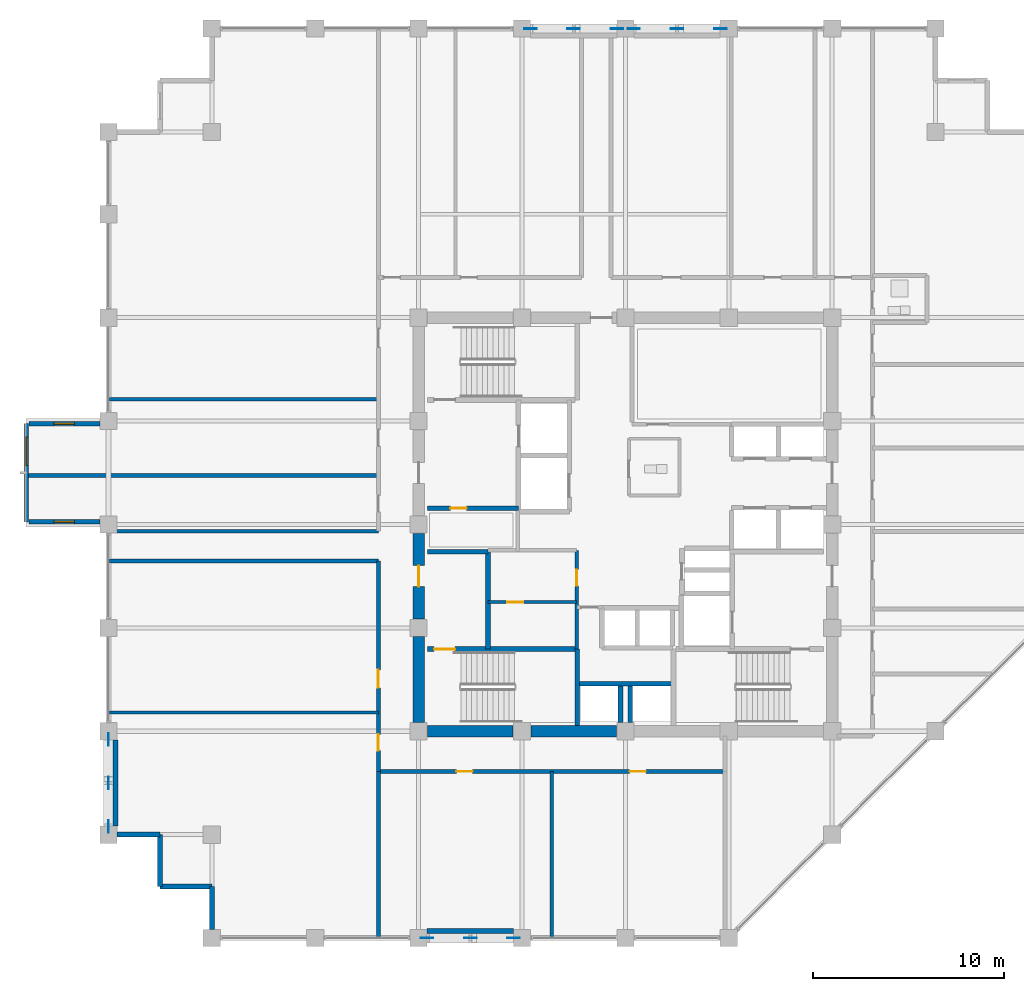
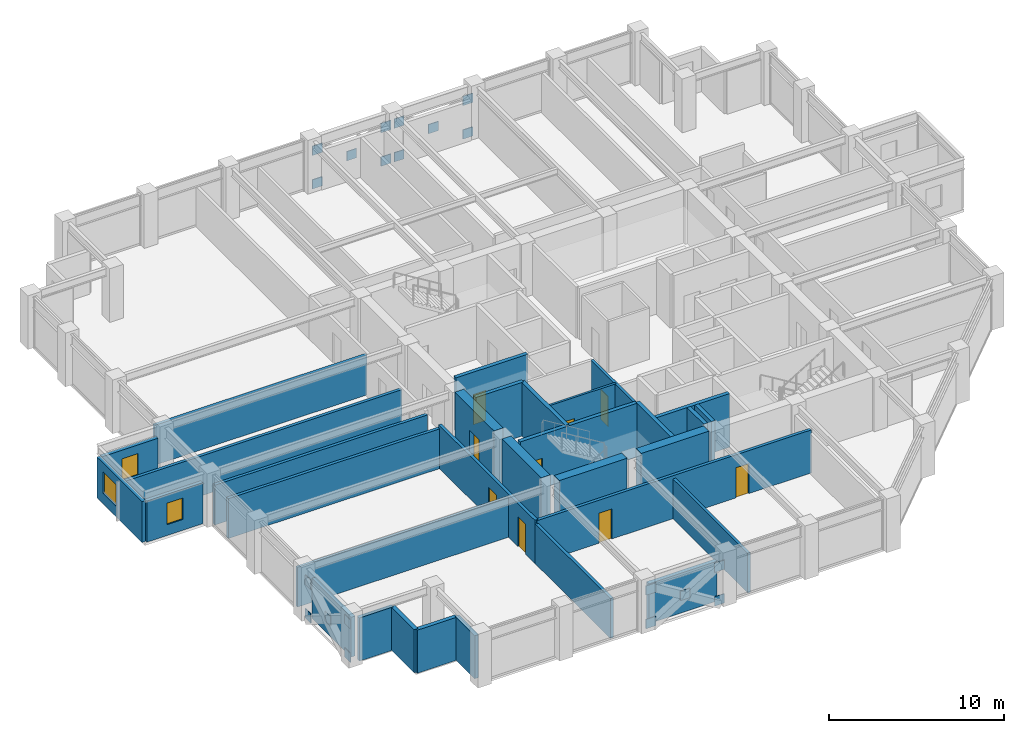
# One storey, part 22 of 28: 32 walls, 20 plates, 9 doors, 3 windows, 12 openings.
"""IFC4 building model written with IfcOpenShell, lengths in metres."""

from ifc_helpers import new_model, si_unit, direction, frame, frame_2d, origin, origin_2d, place, context, subcontext, project, spatial, rectangle, extrude, material, layer, layer_set, type_object, element, fill, save


model = new_model("IFC4")

# Units and contexts
model_context = context("Model", 3, precision=1e-05, world=origin(), true_north=direction((0.0, 1.0)))
body_context = subcontext(model_context, "Body", "Model", "MODEL_VIEW")
ifc_project = project(units=[si_unit("LENGTHUNIT", "METRE"), si_unit("AREAUNIT", "SQUARE_METRE"), si_unit("VOLUMEUNIT", "CUBIC_METRE"), si_unit("PLANEANGLEUNIT", "RADIAN"), si_unit("MASSUNIT", "GRAM", prefix="KILO")], contexts=[model_context])

# Site, building, storey
site_placement = place(None, origin())
site = spatial("IfcSite", under=ifc_project, at=site_placement, CompositionType="ELEMENT")
building_placement = place(site_placement, origin())
building = spatial("IfcBuilding", under=site, at=building_placement, Name="Surkhivell Harbour Commons", CompositionType="ELEMENT")
storey_placement = place(building_placement, frame((0.0, 0.0, 178.5)))
storey = spatial("IfcBuildingStorey", under=building, at=storey_placement, Name="L46", CompositionType="ELEMENT", Elevation=178.5)

# Plates
ifc_material_1 = material(Name="Steel S460", Category="steel")
ifc_layer_1 = layer(ifc_material_1, 0.044921875)
ifc_layer_set_1 = layer_set([ifc_layer_1], Name="Steel S460")
plate_type = type_object("IfcPlateType", Name="PLT-GUS-650", PredefinedType="USERDEFINED", material=ifc_layer_set_1)
for number, where, z_axis, x_axis, name in (
    (1, (-4.965087890625, 25.89990234375, -0.08935546875), (0.0, 0.0, 1.0), (1.0, 0.0, 0.0), "L46 Perimeter Mega-Brace MB- Corner Gusset N-1"),
    (2, (-0.43505859375, 25.89990234375, -0.08935546875), (0.0, 0.0, 1.0), (1.0, 0.0, 0.0), "L46 Perimeter Mega-Brace MB- Corner Gusset N-2"),
    (3, (-4.965087890625, 25.89990234375, 2.25146484375), (0.0, 0.0, 1.0), (1.0, 0.0, 0.0), "L46 Perimeter Mega-Brace MB- Corner Gusset N-3"),
    (4, (-0.43505859375, 25.89990234375, 2.25146484375), (0.0, 0.0, 1.0), (1.0, 0.0, 0.0), "L46 Perimeter Mega-Brace MB- Corner Gusset N-4"),
    (5, (-2.699951171875, 25.89990234375, 1.0810546875), (0.0, 0.0, 1.0), (1.0, 0.0, 0.0), "L46 Perimeter Mega-Brace MB- Central Crossing Gusset N"),
    (6, (0.43505859375, 25.89990234375, -0.08935546875), (0.0, 0.0, 1.0), (1.0, 0.0, 0.0), "L46 Perimeter Mega-Brace MB- Corner Gusset N2-1"),
    (7, (4.965087890625, 25.89990234375, -0.08935546875), (0.0, 0.0, 1.0), (1.0, 0.0, 0.0), "L46 Perimeter Mega-Brace MB- Corner Gusset N2-2"),
    (8, (0.43505859375, 25.89990234375, 2.25146484375), (0.0, 0.0, 1.0), (1.0, 0.0, 0.0), "L46 Perimeter Mega-Brace MB- Corner Gusset N2-3"),
    (9, (4.965087890625, 25.89990234375, 2.25146484375), (0.0, 0.0, 1.0), (1.0, 0.0, 0.0), "L46 Perimeter Mega-Brace MB- Corner Gusset N2-4"),
    (10, (2.699951171875, 25.89990234375, 1.0810546875), (0.0, 0.0, 1.0), (1.0, 0.0, 0.0), "L46 Perimeter Mega-Brace MB- Central Crossing Gusset N2"),
    (11, (-10.364990234375, -21.60009765625, -0.08935546875), (0.0, 0.0, 1.0), (1.0, 0.0, 0.0), "L46 Perimeter Mega-Brace MB- Corner Gusset S-1"),
    (12, (-5.8349609375, -21.60009765625, -0.08935546875), (0.0, 0.0, 1.0), (1.0, 0.0, 0.0), "L46 Perimeter Mega-Brace MB- Corner Gusset S-2"),
    (13, (-10.364990234375, -21.60009765625, 2.25146484375), (0.0, 0.0, 1.0), (1.0, 0.0, 0.0), "L46 Perimeter Mega-Brace MB- Corner Gusset S-3"),
    (14, (-5.8349609375, -21.60009765625, 2.25146484375), (0.0, 0.0, 1.0), (1.0, 0.0, 0.0), "L46 Perimeter Mega-Brace MB- Corner Gusset S-4"),
    (15, (-8.10009765625, -21.60009765625, 1.0810546875), (0.0, 0.0, 1.0), (1.0, 0.0, 0.0), "L46 Perimeter Mega-Brace MB- Central Crossing Gusset S"),
    (16, (-27.0, -15.764892578125, -0.08935546875), (0.0, 0.0, 1.0), (0.0, 1.0, 0.0), "L46 Perimeter Mega-Brace MB- Corner Gusset W-1"),
    (17, (-27.0, -11.235107421875, -0.08935546875), (0.0, 0.0, 1.0), (0.0, 1.0, 0.0), "L46 Perimeter Mega-Brace MB- Corner Gusset W-2"),
    (18, (-27.0, -15.764892578125, 2.25146484375), (0.0, 0.0, 1.0), (0.0, 1.0, 0.0), "L46 Perimeter Mega-Brace MB- Corner Gusset W-3"),
    (19, (-27.0, -11.235107421875, 2.25146484375), (0.0, 0.0, 1.0), (0.0, 1.0, 0.0), "L46 Perimeter Mega-Brace MB- Corner Gusset W-4"),
    (20, (-27.0, -13.5, 1.0810546875), (0.0, 0.0, 1.0), (0.0, 1.0, 0.0), "L46 Perimeter Mega-Brace MB- Central Crossing Gusset W"),
):
    element("IfcPlate", number, at=place(storey_placement, frame(where, z_axis=z_axis, x_axis=x_axis)), inside=storey, type_object=plate_type, Name=name, ObjectType="GUSSET_PLATE", PredefinedType="USERDEFINED", context=body_context, shape_type="SweptSolid", body=[
        extrude(rectangle(XDim=0.64990234375, YDim=0.044921875, at=origin_2d()), origin(), (0.0, 0.0, 1.0), 0.64990234375),
    ])

# Walls
ifc_material_2 = material(Name="Concrete C60/75", Category="concrete")
ifc_layer_2 = layer(ifc_material_2, 0.60009765625)
ifc_layer_set_2 = layer_set([ifc_layer_2], Name="Concrete C60/75")
wall_type_1 = type_object("IfcWallType", Name="WAL-CORE-600", PredefinedType="SHEAR", material=ifc_layer_set_2)
for number, where, z_axis, x_axis, name in (
    (21, (-10.340087890625, -10.800048828125, 0.0), (0.0, 0.0, 1.0), (1.0, 0.0, 0.0), "L46 Core Shear Wall South 1"),
    (22, (-10.800048828125, -10.340087890625, 0.0), (0.0, 0.0, 1.0), (0.0, 1.0, 0.0), "L46 Core Shear Wall West 1"),
    (23, (-4.93994140625, -10.800048828125, 0.0), (0.0, 0.0, 1.0), (1.0, 0.0, 0.0), "L46 Core Shear Wall South 2"),
):
    element("IfcWall", number, at=place(storey_placement, frame(where, z_axis=z_axis, x_axis=x_axis)), inside=storey, type_object=wall_type_1, Name=name, PredefinedType="SHEAR", context=body_context, shape_type="SweptSolid", body=[
        extrude(rectangle(XDim=4.47998046875, YDim=0.60009765625, at=frame_2d((2.239990234375, 0.0))), origin(), (0.0, 0.0, 1.0), 3.75),
    ])

# Wall, opening, door
wall_1_placement = place(storey_placement, frame((-10.800048828125, -4.93994140625, 0.0), z_axis=(0.0, 0.0, 1.0), x_axis=(0.0, 1.0, 0.0)))
wall_1 = element("IfcWall", 24, at=wall_1_placement, inside=storey, type_object=wall_type_1, Name="L46 Core Shear Wall West 2", PredefinedType="SHEAR", context=body_context, shape_type="SweptSolid", body=[
    extrude(rectangle(XDim=4.47998046875, YDim=0.60009765625, at=frame_2d((2.239990234375, 0.0))), origin(), (0.0, 0.0, 1.0), 3.75),
])
opening_1_placement = place(wall_1_placement, frame((1.68994140625, 0.0, 0.0)))
opening_1 = element("IfcOpeningElement", 25, at=opening_1_placement, cuts=wall_1, Name="Opening ID-2", PredefinedType="OPENING", context=body_context, shape_type="SweptSolid", body=[
    extrude(rectangle(XDim=1.10009765625, YDim=2.10009765625, at=frame_2d((0.550048828125, 1.050048828125))), frame((0.0, 0.31005859375, 0.0), z_axis=(0.0, -1.0, 0.0), x_axis=(1.0, 0.0, 0.0)), (0.0, 0.0, 1.0), 0.6201171875),
])
ifc_material_3 = material(Name="Hardwood-veneered fire-rated door leaf", Category="wood")
door_type_1 = type_object("IfcDoorType", Name="DOR-FD60-1100", OperationType="NOTDEFINED", PredefinedType="DOOR", material=ifc_material_3)
door_1_placement = place(opening_1_placement, origin())
door_1 = element("IfcDoor", 26, at=door_1_placement, inside=storey, type_object=door_type_1, Name="L46 Stair 3 Lobby Corridor Door", OperationType="SINGLE_SWING_LEFT", OverallHeight=2.10009765625, OverallWidth=1.10009765625, PredefinedType="DOOR", context=body_context, shape_type="SweptSolid", body=[
    extrude(rectangle(XDim=1.10009765625, YDim=2.10009765625, at=frame_2d((0.550048828125, 1.050048828125))), frame((0.0, 0.02490234375, 0.0), z_axis=(0.0, -1.0, 0.0), x_axis=(1.0, 0.0, 0.0)), (0.0, 0.0, 1.0), 0.050048828125),
])
fill(opening_1, door_1)

# Walls
ifc_material_4 = material(Name="Pale-metal insulated precast concrete C45/55", Category="concrete")
ifc_layer_3 = layer(ifc_material_4, 0.260009765625)
ifc_layer_set_3 = layer_set([ifc_layer_3], Name="Pale-metal insulated precast concrete C45/55")
wall_type_2 = type_object("IfcWallType", Name="WAL-EXT-MTL260", PredefinedType="STANDARD", material=ifc_layer_set_3)
wall_2_placement = place(storey_placement, frame((-10.35205078125, -21.239990234375, 0.0), z_axis=(0.0, 0.0, 1.0), x_axis=(1.0, 0.0, 0.0)))
element("IfcWall", 27, at=wall_2_placement, inside=storey, type_object=wall_type_2, Name="L46 Braced-Bay Insulated Spandrel Backing S", PredefinedType="STANDARD", context=body_context, shape_type="SweptSolid", body=[
    extrude(rectangle(XDim=4.504150390625, YDim=0.260009765625, at=frame_2d((2.251953125, 0.0))), origin(), (0.0, 0.0, 1.0), 2.780029296875),
])
wall_3_placement = place(storey_placement, frame((-26.639892578125, -15.751953125, 0.0), z_axis=(0.0, 0.0, 1.0), x_axis=(0.0, 1.0, 0.0)))
element("IfcWall", 28, at=wall_3_placement, inside=storey, type_object=wall_type_2, Name="L46 Braced-Bay Insulated Spandrel Backing W", PredefinedType="STANDARD", context=body_context, shape_type="SweptSolid", body=[
    extrude(rectangle(XDim=4.50390625, YDim=0.260009765625, at=frame_2d((2.251953125, 0.0))), origin(), (0.0, 0.0, 1.0), 2.780029296875),
])
wall_4_placement = place(storey_placement, frame((-26.552001953125, -16.199951171875, 0.0), z_axis=(0.0, 0.0, 1.0), x_axis=(1.0, 0.0, 0.0)))
element("IfcWall", 29, at=wall_4_placement, inside=storey, type_object=wall_type_2, Name="L46 Serrated Corner Facade Wall 13", PredefinedType="STANDARD", context=body_context, shape_type="SweptSolid", body=[
    extrude(rectangle(XDim=2.251953125, YDim=0.260009765625, at=frame_2d((1.1259765625, 0.0))), origin(), (0.0, 0.0, 1.0), 3.006103515625),
])
for number, where, z_axis, x_axis, name in (
    (30, (-24.300048828125, -16.199951171875, 0.0), (0.0, 0.0, 1.0), (0.0, -1.0, 0.0), "L46 Serrated Corner Facade Wall 14"),
    (31, (-24.300048828125, -18.89990234375, 0.0), (0.0, 0.0, 1.0), (1.0, 0.0, 0.0), "L46 Serrated Corner Facade Wall 15"),
):
    element("IfcWall", number, at=place(storey_placement, frame(where, z_axis=z_axis, x_axis=x_axis)), inside=storey, type_object=wall_type_2, Name=name, PredefinedType="STANDARD", context=body_context, shape_type="SweptSolid", body=[
        extrude(rectangle(XDim=2.699951171875, YDim=0.260009765625, at=frame_2d((1.35009765625, 0.0))), origin(), (0.0, 0.0, 1.0), 3.006103515625),
    ])
wall_5_placement = place(storey_placement, frame((-21.60009765625, -18.89990234375, 0.0), z_axis=(0.0, 0.0, 1.0), x_axis=(0.0, -1.0, 0.0)))
element("IfcWall", 32, at=wall_5_placement, inside=storey, type_object=wall_type_2, Name="L46 Serrated Corner Facade Wall 16", PredefinedType="STANDARD", context=body_context, shape_type="SweptSolid", body=[
    extrude(rectangle(XDim=2.252197265625, YDim=0.260009765625, at=frame_2d((1.1259765625, 0.0))), origin(), (0.0, 0.0, 1.0), 3.006103515625),
])

# Wall, opening, window
ifc_material_5 = material(Name="Bronze-ochre cassette precast concrete C45/55", Category="concrete")
ifc_layer_4 = layer(ifc_material_5, 0.239990234375)
ifc_layer_set_4 = layer_set([ifc_layer_4], Name="Bronze-ochre cassette precast concrete C45/55")
wall_type_3 = type_object("IfcWallType", Name="WAL-EXT-OCH240", PredefinedType="STANDARD", material=ifc_layer_set_4)
wall_6_placement = place(storey_placement, frame((-31.300048828125, 5.280029296875, 0.0), z_axis=(0.0, 0.0, 1.0), x_axis=(0.0, -1.0, 0.0)))
wall_6 = element("IfcWall", 33, at=wall_6_placement, inside=storey, type_object=wall_type_3, Name="L46 Coloured Box Front Wall 02", PredefinedType="STANDARD", context=body_context, shape_type="SweptSolid", body=[
    extrude(rectangle(XDim=5.159912109375, YDim=0.239990234375, at=frame_2d((2.580078125, 0.0))), origin(), (0.0, 0.0, 1.0), 2.85693359375),
])
opening_2_placement = place(wall_6_placement, frame((0.699951171875, 0.0, 0.75)))
opening_2 = element("IfcOpeningElement", 34, at=opening_2_placement, cuts=wall_6, Name="Opening WN-13", PredefinedType="OPENING", context=body_context, shape_type="SweptSolid", body=[
    extrude(rectangle(XDim=1.5, YDim=1.5, at=frame_2d((0.75, 0.75))), frame((0.0, 0.1298828125, 0.0), z_axis=(0.0, -1.0, 0.0), x_axis=(1.0, 0.0, 0.0)), (0.0, 0.0, 1.0), 0.260009765625),
])
ifc_material_6 = material(Name="Thermal-break aluminium frame and double low-E glazing", Category="aluminium")
window_type_1 = type_object("IfcWindowType", Name="WIN-BOX-1500x1500", PartitioningType="SINGLE_PANEL", PredefinedType="WINDOW", material=ifc_material_6)
window_1_placement = place(opening_2_placement, origin())
window_1 = element("IfcWindow", 35, at=window_1_placement, inside=storey, type_object=window_type_1, Name="L46 Coloured Box Square Window 02-1", OverallHeight=1.5, OverallWidth=1.5, PartitioningType="SINGLE_PANEL", PredefinedType="WINDOW", context=body_context, shape_type="SweptSolid", body=[
    extrude(rectangle(XDim=1.5, YDim=1.5, at=frame_2d((0.75, 0.75))), frame((0.0, 0.030029296875, 0.0), z_axis=(0.0, -1.0, 0.0), x_axis=(1.0, 0.0, 0.0)), (0.0, 0.0, 1.0), 0.06005859375),
])
fill(opening_2, window_1)

wall_7_placement = place(storey_placement, frame((-31.159912109375, 0.139892578125, 0.0), z_axis=(0.0, 0.0, 1.0), x_axis=(1.0, 0.0, 0.0)))
wall_7 = element("IfcWall", 36, at=wall_7_placement, inside=storey, type_object=wall_type_3, Name="L46 Coloured Box Return Wall 02S", PredefinedType="STANDARD", context=body_context, shape_type="SweptSolid", body=[
    extrude(rectangle(XDim=3.705810546875, YDim=0.239990234375, at=frame_2d((1.85302734375, 0.0))), origin(), (0.0, 0.0, 1.0), 2.85693359375),
])
opening_3_placement = place(wall_7_placement, frame((1.327880859375, 0.0, 0.75)))
opening_3 = element("IfcOpeningElement", 37, at=opening_3_placement, cuts=wall_7, Name="Opening WN-11", PredefinedType="OPENING", context=body_context, shape_type="SweptSolid", body=[
    extrude(rectangle(XDim=1.050048828125, YDim=1.5, at=frame_2d((0.52490234375, 0.75))), frame((0.0, 0.1298828125, 0.0), z_axis=(0.0, -1.0, 0.0), x_axis=(1.0, 0.0, 0.0)), (0.0, 0.0, 1.0), 0.260009765625),
])
window_type_2 = type_object("IfcWindowType", Name="WIN-SER-1050x1500", PartitioningType="SINGLE_PANEL", PredefinedType="WINDOW", material=ifc_material_6)
window_2_placement = place(opening_3_placement, origin())
window_2 = element("IfcWindow", 38, at=window_2_placement, inside=storey, type_object=window_type_2, Name="L46 Coloured Box Return Window 02S", OverallHeight=1.5, OverallWidth=1.050048828125, PartitioningType="SINGLE_PANEL", PredefinedType="WINDOW", context=body_context, shape_type="SweptSolid", body=[
    extrude(rectangle(XDim=1.050048828125, YDim=1.5, at=frame_2d((0.52490234375, 0.75))), frame((0.0, 0.030029296875, 0.0), z_axis=(0.0, -1.0, 0.0), x_axis=(1.0, 0.0, 0.0)), (0.0, 0.0, 1.0), 0.06005859375),
])
fill(opening_3, window_2)

wall_8_placement = place(storey_placement, frame((-31.159912109375, 5.260009765625, 0.0), z_axis=(0.0, 0.0, 1.0), x_axis=(1.0, 0.0, 0.0)))
wall_8 = element("IfcWall", 39, at=wall_8_placement, inside=storey, type_object=wall_type_3, Name="L46 Coloured Box Return Wall 02N", PredefinedType="STANDARD", context=body_context, shape_type="SweptSolid", body=[
    extrude(rectangle(XDim=3.705810546875, YDim=0.239990234375, at=frame_2d((1.85302734375, 0.0))), origin(), (0.0, 0.0, 1.0), 2.85693359375),
])
opening_4_placement = place(wall_8_placement, frame((1.327880859375, 0.0, 0.75)))
opening_4 = element("IfcOpeningElement", 40, at=opening_4_placement, cuts=wall_8, Name="Opening WN-11", PredefinedType="OPENING", context=body_context, shape_type="SweptSolid", body=[
    extrude(rectangle(XDim=1.050048828125, YDim=1.5, at=frame_2d((0.52490234375, 0.75))), frame((0.0, 0.1298828125, 0.0), z_axis=(0.0, -1.0, 0.0), x_axis=(1.0, 0.0, 0.0)), (0.0, 0.0, 1.0), 0.260009765625),
])
window_3_placement = place(opening_4_placement, origin())
window_3 = element("IfcWindow", 41, at=window_3_placement, inside=storey, type_object=window_type_2, Name="L46 Coloured Box Return Window 02N", OverallHeight=1.5, OverallWidth=1.050048828125, PartitioningType="SINGLE_PANEL", PredefinedType="WINDOW", context=body_context, shape_type="SweptSolid", body=[
    extrude(rectangle(XDim=1.050048828125, YDim=1.5, at=frame_2d((0.52490234375, 0.75))), frame((0.0, 0.030029296875, 0.0), z_axis=(0.0, -1.0, 0.0), x_axis=(1.0, 0.0, 0.0)), (0.0, 0.0, 1.0), 0.06005859375),
])
fill(opening_4, window_3)

# Wall, opening, door
ifc_material_7 = material(Name="Twin-stud acoustic fireboard partition", Category="other")
ifc_layer_5 = layer(ifc_material_7, 0.14990234375)
ifc_layer_set_5 = layer_set([ifc_layer_5], Name="Twin-stud acoustic fireboard partition")
wall_type_4 = type_object("IfcWallType", Name="WAL-INT-150", PredefinedType="PARTITIONING", material=ifc_layer_set_5)
wall_9_placement = place(storey_placement, frame((-7.179931640625, -4.050048828125, 0.0), z_axis=(0.0, 0.0, 1.0), x_axis=(1.0, 0.0, 0.0)))
wall_9 = element("IfcWall", 42, at=wall_9_placement, inside=storey, type_object=wall_type_4, Name="L46 Core Cut A Partition", PredefinedType="PARTITIONING", context=body_context, shape_type="SweptSolid", body=[
    extrude(rectangle(XDim=4.6298828125, YDim=0.14990234375, at=frame_2d((2.31494140625, 0.0))), origin(), (0.0, 0.0, 1.0), 3.570068359375),
])
opening_5_placement = place(wall_9_placement, frame((1.0, 0.0, 0.0)))
opening_5 = element("IfcOpeningElement", 43, at=opening_5_placement, cuts=wall_9, Name="Opening ID-6", PredefinedType="OPENING", context=body_context, shape_type="SweptSolid", body=[
    extrude(rectangle(XDim=0.85009765625, YDim=2.10009765625, at=frame_2d((0.425048828125, 1.050048828125))), frame((0.0, 0.0849609375, 0.0), z_axis=(0.0, -1.0, 0.0), x_axis=(1.0, 0.0, 0.0)), (0.0, 0.0, 1.0), 0.169921875),
])
door_type_2 = type_object("IfcDoorType", Name="DOR-FD30-850", OperationType="NOTDEFINED", PredefinedType="DOOR", material=ifc_material_3)
door_2_placement = place(opening_5_placement, origin())
door_2 = element("IfcDoor", 44, at=door_2_placement, inside=storey, type_object=door_type_2, Name="L46 Linen Room Door", OperationType="SINGLE_SWING_RIGHT", OverallHeight=2.10009765625, OverallWidth=0.85009765625, PredefinedType="DOOR", context=body_context, shape_type="SweptSolid", body=[
    extrude(rectangle(XDim=0.85009765625, YDim=2.10009765625, at=frame_2d((0.425048828125, 1.050048828125))), frame((0.0, 0.02490234375, 0.0), z_axis=(0.0, -1.0, 0.0), x_axis=(1.0, 0.0, 0.0)), (0.0, 0.0, 1.0), 0.050048828125),
])
fill(opening_5, door_2)

# Wall
wall_10_placement = place(storey_placement, frame((-26.93994140625, -9.820068359375, 0.0), z_axis=(0.0, 0.0, 1.0), x_axis=(1.0, 0.0, 0.0)))
element("IfcWall", 45, at=wall_10_placement, inside=storey, type_object=wall_type_4, Name="L46 South-West Partition P1", PredefinedType="PARTITIONING", context=body_context, shape_type="SweptSolid", body=[
    extrude(rectangle(XDim=14.0400390625, YDim=0.14990234375, at=frame_2d((7.02001953125, 0.0))), origin(), (0.0, 0.0, 1.0), 2.780029296875),
])

# Wall, opening, door
ifc_material_8 = material(Name="High-density acoustic blockwork fire partition", Category="masonry")
ifc_layer_6 = layer(ifc_material_8, 0.175048828125)
ifc_layer_set_6 = layer_set([ifc_layer_6], Name="High-density acoustic blockwork fire partition")
wall_type_5 = type_object("IfcWallType", Name="WAL-INT-175", PredefinedType="PARTITIONING", material=ifc_layer_set_6)
wall_11_placement = place(storey_placement, frame((-2.550048828125, -6.510009765625, 0.0), z_axis=(0.0, 0.0, 1.0), x_axis=(0.0, 1.0, 0.0)))
wall_11 = element("IfcWall", 46, at=wall_11_placement, inside=storey, type_object=wall_type_5, Name="L46 Core Service Bay East Wall", PredefinedType="PARTITIONING", context=body_context, shape_type="SweptSolid", body=[
    extrude(rectangle(XDim=5.159912109375, YDim=0.175048828125, at=frame_2d((2.580078125, 0.0))), origin(), (0.0, 0.0, 1.0), 3.570068359375),
])
opening_6_placement = place(wall_11_placement, frame((3.300048828125, 0.0, 0.0)))
opening_6 = element("IfcOpeningElement", 47, at=opening_6_placement, cuts=wall_11, Name="Opening ID-6", PredefinedType="OPENING", context=body_context, shape_type="SweptSolid", body=[
    extrude(rectangle(XDim=0.85009765625, YDim=2.10009765625, at=frame_2d((0.425048828125, 1.050048828125))), frame((0.0, 0.097412109375, 0.0), z_axis=(0.0, -1.0, 0.0), x_axis=(1.0, 0.0, 0.0)), (0.0, 0.0, 1.0), 0.195068359375),
])
door_3_placement = place(opening_6_placement, origin())
door_3 = element("IfcDoor", 48, at=door_3_placement, inside=storey, type_object=door_type_2, Name="L46 Core Reading Alcove Door", OperationType="SINGLE_SWING_LEFT", OverallHeight=2.10009765625, OverallWidth=0.85009765625, PredefinedType="DOOR", context=body_context, shape_type="SweptSolid", body=[
    extrude(rectangle(XDim=0.85009765625, YDim=2.10009765625, at=frame_2d((0.425048828125, 1.050048828125))), frame((0.0, 0.02490234375, 0.0), z_axis=(0.0, -1.0, 0.0), x_axis=(1.0, 0.0, 0.0)), (0.0, 0.0, 1.0), 0.050048828125),
])
fill(opening_6, door_3)

# Walls
wall_12_placement = place(storey_placement, frame((-3.85009765625, -21.5400390625, 0.0), z_axis=(0.0, 0.0, 1.0), x_axis=(0.0, 1.0, 0.0)))
element("IfcWall", 49, at=wall_12_placement, inside=storey, type_object=wall_type_5, Name="L46 South Partition P1", PredefinedType="PARTITIONING", context=body_context, shape_type="SweptSolid", body=[
    extrude(rectangle(XDim=8.64013671875, YDim=0.175048828125, at=frame_2d((4.320068359375, 0.0))), origin(), (0.0, 0.0, 1.0), 2.780029296875),
])
ifc_material_9 = material(Name="Autoclaved aerated concrete blockwork and fire plaster", Category="masonry")
ifc_layer_7 = layer(ifc_material_9, 0.199951171875)
ifc_layer_set_7 = layer_set([ifc_layer_7], Name="Autoclaved aerated concrete blockwork and fire plaster")
wall_type_6 = type_object("IfcWallType", Name="WAL-INT-200", PredefinedType="PARTITIONING", material=ifc_layer_set_7)
wall_13_placement = place(storey_placement, frame((-12.89990234375, -21.5400390625, 0.0), z_axis=(0.0, 0.0, 1.0), x_axis=(0.0, 1.0, 0.0)))
element("IfcWall", 50, at=wall_13_placement, inside=storey, type_object=wall_type_6, Name="L46 South-West Corner Wall", PredefinedType="PARTITIONING", context=body_context, shape_type="SweptSolid", body=[
    extrude(rectangle(XDim=8.64013671875, YDim=0.199951171875, at=frame_2d((4.320068359375, 0.0))), origin(), (0.0, 0.0, 1.0), 2.780029296875),
])

# Wall, openings, doors
wall_14_placement = place(storey_placement, frame((-12.89990234375, -12.89990234375, 0.0), z_axis=(0.0, 0.0, 1.0), x_axis=(1.0, 0.0, 0.0)))
wall_14 = element("IfcWall", 51, at=wall_14_placement, inside=storey, type_object=wall_type_6, Name="L46 Corridor South Wall", PredefinedType="PARTITIONING", context=body_context, shape_type="SweptSolid", body=[
    extrude(rectangle(XDim=18.099853515625, YDim=0.199951171875, at=frame_2d((9.0498046875, 0.0))), origin(), (0.0, 0.0, 1.0), 3.006103515625),
])
opening_7_placement = place(wall_14_placement, frame((4.074951171875, 0.0, 0.0)))
opening_7 = element("IfcOpeningElement", 52, at=opening_7_placement, cuts=wall_14, Name="Opening ID-6", PredefinedType="OPENING", context=body_context, shape_type="SweptSolid", body=[
    extrude(rectangle(XDim=0.85009765625, YDim=2.10009765625, at=frame_2d((0.425048828125, 1.050048828125))), frame((0.0, 0.10986328125, 0.0), z_axis=(0.0, -1.0, 0.0), x_axis=(1.0, 0.0, 0.0)), (0.0, 0.0, 1.0), 0.219970703125),
])
opening_8_placement = place(wall_14_placement, frame((13.125, 0.0, 0.0)))
opening_8 = element("IfcOpeningElement", 53, at=opening_8_placement, cuts=wall_14, Name="Opening ID-6", PredefinedType="OPENING", context=body_context, shape_type="SweptSolid", body=[
    extrude(rectangle(XDim=0.85009765625, YDim=2.10009765625, at=frame_2d((0.425048828125, 1.050048828125))), frame((0.0, 0.10986328125, 0.0), z_axis=(0.0, -1.0, 0.0), x_axis=(1.0, 0.0, 0.0)), (0.0, 0.0, 1.0), 0.219970703125),
])
door_4_placement = place(opening_7_placement, origin())
door_4 = element("IfcDoor", 54, at=door_4_placement, inside=storey, type_object=door_type_2, Name="L46 Campus Co-Op Bookshop South Door", OperationType="SINGLE_SWING_LEFT", OverallHeight=2.10009765625, OverallWidth=0.85009765625, PredefinedType="DOOR", context=body_context, shape_type="SweptSolid", body=[
    extrude(rectangle(XDim=0.85009765625, YDim=2.10009765625, at=frame_2d((0.425048828125, 1.050048828125))), frame((0.0, 0.02490234375, 0.0), z_axis=(0.0, -1.0, 0.0), x_axis=(1.0, 0.0, 0.0)), (0.0, 0.0, 1.0), 0.050048828125),
])
fill(opening_7, door_4)
door_5_placement = place(opening_8_placement, origin())
door_5 = element("IfcDoor", 55, at=door_5_placement, inside=storey, type_object=door_type_2, Name="L46 Harbour Espresso Cafe Shop South Door", OperationType="SINGLE_SWING_RIGHT", OverallHeight=2.10009765625, OverallWidth=0.85009765625, PredefinedType="DOOR", context=body_context, shape_type="SweptSolid", body=[
    extrude(rectangle(XDim=0.85009765625, YDim=2.10009765625, at=frame_2d((0.425048828125, 1.050048828125))), frame((0.0, 0.02490234375, 0.0), z_axis=(0.0, -1.0, 0.0), x_axis=(1.0, 0.0, 0.0)), (0.0, 0.0, 1.0), 0.050048828125),
])
fill(opening_8, door_5)

# Walls
for number, where, z_axis, x_axis, name in (
    (56, (-26.93994140625, -0.35009765625, 0.0), (0.0, 0.0, 1.0), (1.0, 0.0, 0.0), "L46 West Spur North Wall"),
    (57, (-26.93994140625, -1.89990234375, 0.0), (0.0, 0.0, 1.0), (1.0, 0.0, 0.0), "L46 West Spur South Wall"),
):
    element("IfcWall", number, at=place(storey_placement, frame(where, z_axis=z_axis, x_axis=x_axis)), inside=storey, type_object=wall_type_6, Name=name, PredefinedType="PARTITIONING", context=body_context, shape_type="SweptSolid", body=[
        extrude(rectangle(XDim=14.0400390625, YDim=0.199951171875, at=frame_2d((7.02001953125, 0.0))), origin(), (0.0, 0.0, 1.0), 2.780029296875),
    ])

# Wall, openings, doors
wall_15_placement = place(storey_placement, frame((-12.89990234375, -12.89990234375, 0.0), z_axis=(0.0, 0.0, 1.0), x_axis=(0.0, 1.0, 0.0)))
wall_15 = element("IfcWall", 58, at=wall_15_placement, inside=storey, type_object=wall_type_6, Name="L46 Corridor West-Lower Wall", PredefinedType="PARTITIONING", context=body_context, shape_type="SweptSolid", body=[
    extrude(rectangle(XDim=11.0, YDim=0.199951171875, at=frame_2d((5.5, 0.0))), origin(), (0.0, 0.0, 1.0), 3.006103515625),
])
opening_9_placement = place(wall_15_placement, frame((1.090087890625, 0.0, 0.0)))
opening_9 = element("IfcOpeningElement", 59, at=opening_9_placement, cuts=wall_15, Name="Opening ID-6", PredefinedType="OPENING", context=body_context, shape_type="SweptSolid", body=[
    extrude(rectangle(XDim=0.85009765625, YDim=2.10009765625, at=frame_2d((0.425048828125, 1.050048828125))), frame((0.0, 0.10986328125, 0.0), z_axis=(0.0, -1.0, 0.0), x_axis=(1.0, 0.0, 0.0)), (0.0, 0.0, 1.0), 0.219970703125),
])
opening_10_placement = place(wall_15_placement, frame((4.361572265625, 0.0, 0.0)))
opening_10 = element("IfcOpeningElement", 60, at=opening_10_placement, cuts=wall_15, Name="Opening ID-4", PredefinedType="OPENING", context=body_context, shape_type="SweptSolid", body=[
    extrude(rectangle(XDim=0.949951171875, YDim=2.10009765625, at=frame_2d((0.47509765625, 1.050048828125))), frame((0.0, 0.10986328125, 0.0), z_axis=(0.0, -1.0, 0.0), x_axis=(1.0, 0.0, 0.0)), (0.0, 0.0, 1.0), 0.219970703125),
])
door_6_placement = place(opening_9_placement, origin())
door_6 = element("IfcDoor", 61, at=door_6_placement, inside=storey, type_object=door_type_2, Name="L46 Shared Communal Kitchen A South-West Door", OperationType="SINGLE_SWING_LEFT", OverallHeight=2.10009765625, OverallWidth=0.85009765625, PredefinedType="DOOR", context=body_context, shape_type="SweptSolid", body=[
    extrude(rectangle(XDim=0.85009765625, YDim=2.10009765625, at=frame_2d((0.425048828125, 1.050048828125))), frame((0.0, 0.02490234375, 0.0), z_axis=(0.0, -1.0, 0.0), x_axis=(1.0, 0.0, 0.0)), (0.0, 0.0, 1.0), 0.050048828125),
])
fill(opening_9, door_6)
door_type_3 = type_object("IfcDoorType", Name="DOR-FD60-950", OperationType="NOTDEFINED", PredefinedType="DOOR", material=ifc_material_3)
door_7_placement = place(opening_10_placement, origin())
door_7 = element("IfcDoor", 62, at=door_7_placement, inside=storey, type_object=door_type_3, Name="L46 Shared Communal Kitchen B South-West Door", OperationType="SINGLE_SWING_RIGHT", OverallHeight=2.10009765625, OverallWidth=0.949951171875, PredefinedType="DOOR", context=body_context, shape_type="SweptSolid", body=[
    extrude(rectangle(XDim=0.949951171875, YDim=2.10009765625, at=frame_2d((0.47509765625, 1.050048828125))), frame((0.0, 0.02490234375, 0.0), z_axis=(0.0, -1.0, 0.0), x_axis=(1.0, 0.0, 0.0)), (0.0, 0.0, 1.0), 0.050048828125),
])
fill(opening_10, door_7)

# Walls
wall_16_placement = place(storey_placement, frame((-31.239990234375, 2.56005859375, 0.0), z_axis=(0.0, 0.0, 1.0), x_axis=(1.0, 0.0, 0.0)))
element("IfcWall", 63, at=wall_16_placement, inside=storey, type_object=wall_type_6, Name="L46 North-West Partition P1", PredefinedType="PARTITIONING", context=body_context, shape_type="SweptSolid", body=[
    extrude(rectangle(XDim=18.340087890625, YDim=0.199951171875, at=frame_2d((9.169921875, 0.0))), origin(), (0.0, 0.0, 1.0), 2.780029296875),
])
wall_17_placement = place(storey_placement, frame((-26.93994140625, 6.5400390625, 0.0), z_axis=(0.0, 0.0, 1.0), x_axis=(1.0, 0.0, 0.0)))
element("IfcWall", 64, at=wall_17_placement, inside=storey, type_object=wall_type_6, Name="L46 North-West Partition P2", PredefinedType="PARTITIONING", context=body_context, shape_type="SweptSolid", body=[
    extrude(rectangle(XDim=14.0400390625, YDim=0.199951171875, at=frame_2d((7.02001953125, 0.0))), origin(), (0.0, 0.0, 1.0), 2.780029296875),
])

# Wall, opening, door
ifc_material_10 = material(Name="Concrete C50/60", Category="concrete")
ifc_layer_8 = layer(ifc_material_10, 0.25)
ifc_layer_set_8 = layer_set([ifc_layer_8], Name="Concrete C50/60")
wall_type_7 = type_object("IfcWallType", Name="WAL-SHAFT-250", PredefinedType="SHEAR", material=ifc_layer_set_8)
wall_18_placement = place(storey_placement, frame((-10.340087890625, 0.85009765625, 0.0), z_axis=(0.0, 0.0, 1.0), x_axis=(1.0, 0.0, 0.0)))
wall_18 = element("IfcWall", 65, at=wall_18_placement, inside=storey, type_object=wall_type_7, Name="L46 Firefighting Lobby 1 South Wall", PredefinedType="SHEAR", context=body_context, shape_type="SweptSolid", body=[
    extrude(rectangle(XDim=4.760009765625, YDim=0.25, at=frame_2d((2.3798828125, 0.0))), origin(), (0.0, 0.0, 1.0), 3.75),
])
opening_11_placement = place(wall_18_placement, frame((1.199951171875, 0.0, 0.0)))
opening_11 = element("IfcOpeningElement", 66, at=opening_11_placement, cuts=wall_18, Name="Opening ID-6", PredefinedType="OPENING", context=body_context, shape_type="SweptSolid", body=[
    extrude(rectangle(XDim=0.85009765625, YDim=2.10009765625, at=frame_2d((0.425048828125, 1.050048828125))), frame((0.0, 0.135009765625, 0.0), z_axis=(0.0, -1.0, 0.0), x_axis=(1.0, 0.0, 0.0)), (0.0, 0.0, 1.0), 0.27001953125),
])
door_8_placement = place(opening_11_placement, origin())
door_8 = element("IfcDoor", 67, at=door_8_placement, inside=storey, type_object=door_type_2, Name="L46 West Quiet Study Door", OperationType="SINGLE_SWING_RIGHT", OverallHeight=2.10009765625, OverallWidth=0.85009765625, PredefinedType="DOOR", context=body_context, shape_type="SweptSolid", body=[
    extrude(rectangle(XDim=0.85009765625, YDim=2.10009765625, at=frame_2d((0.425048828125, 1.050048828125))), frame((0.0, 0.02490234375, 0.0), z_axis=(0.0, -1.0, 0.0), x_axis=(1.0, 0.0, 0.0)), (0.0, 0.0, 1.0), 0.050048828125),
])
fill(opening_11, door_8)

# Walls
for number, where, z_axis, x_axis, name in (
    (68, (-0.25, -10.35009765625, 0.0), (0.0, 0.0, 1.0), (0.0, 1.0, 0.0), "L46 High-Rise Side Wall S"),
    (69, (0.25, -10.35009765625, 0.0), (0.0, 0.0, 1.0), (0.0, 1.0, 0.0), "L46 High-Rise Side Wall S"),
):
    element("IfcWall", number, at=place(storey_placement, frame(where, z_axis=z_axis, x_axis=x_axis)), inside=storey, type_object=wall_type_7, Name=name, PredefinedType="SHEAR", context=body_context, shape_type="SweptSolid", body=[
        extrude(rectangle(XDim=1.91015625, YDim=0.25, at=frame_2d((0.955078125, 0.0))), origin(), (0.0, 0.0, 1.0), 3.75),
    ])
wall_19_placement = place(storey_placement, frame((-2.47998046875, -8.320068359375, 0.0), z_axis=(0.0, 0.0, 1.0), x_axis=(1.0, 0.0, 0.0)))
element("IfcWall", 70, at=wall_19_placement, inside=storey, type_object=wall_type_7, Name="L46 High-Rise South Front Shaft Wall", PredefinedType="SHEAR", context=body_context, shape_type="SweptSolid", body=[
    extrude(rectangle(XDim=4.929931640625, YDim=0.25, at=frame_2d((2.46484375, 0.0))), origin(), (0.0, 0.0, 1.0), 3.75),
])
wall_20_placement = place(storey_placement, frame((-2.510009765625, -10.5, 0.0), z_axis=(0.0, 0.0, 1.0), x_axis=(0.0, 1.0, 0.0)))
element("IfcWall", 71, at=wall_20_placement, inside=storey, type_object=wall_type_7, Name="L46 Stair ST3 East Shear Wall", PredefinedType="SHEAR", context=body_context, shape_type="SweptSolid", body=[
    extrude(rectangle(XDim=3.989990234375, YDim=0.25, at=frame_2d((1.9951171875, 0.0))), origin(), (0.0, 0.0, 1.0), 3.75),
])
wall_21_placement = place(storey_placement, frame((-7.179931640625, -6.510009765625, 0.0), z_axis=(0.0, 0.0, 1.0), x_axis=(0.0, 1.0, 0.0)))
element("IfcWall", 72, at=wall_21_placement, inside=storey, type_object=wall_type_7, Name="L46 Stair 3 Lobby East Wall", PredefinedType="SHEAR", context=body_context, shape_type="SweptSolid", body=[
    extrude(rectangle(XDim=5.090087890625, YDim=0.25, at=frame_2d((2.544921875, 0.0))), origin(), (0.0, 0.0, 1.0), 3.75),
])
wall_22_placement = place(storey_placement, frame((-10.340087890625, -1.419921875, 0.0), z_axis=(0.0, 0.0, 1.0), x_axis=(1.0, 0.0, 0.0)))
element("IfcWall", 73, at=wall_22_placement, inside=storey, type_object=wall_type_7, Name="L46 Stair 3 Lobby North Wall", PredefinedType="SHEAR", context=body_context, shape_type="SweptSolid", body=[
    extrude(rectangle(XDim=3.16015625, YDim=0.25, at=frame_2d((1.580078125, 0.0))), origin(), (0.0, 0.0, 1.0), 3.75),
])

# Wall, opening, door
wall_23_placement = place(storey_placement, frame((-10.340087890625, -6.510009765625, 0.0), z_axis=(0.0, 0.0, 1.0), x_axis=(1.0, 0.0, 0.0)))
wall_23 = element("IfcWall", 74, at=wall_23_placement, inside=storey, type_object=wall_type_7, Name="L46 Stair ST3 North Shear Wall", PredefinedType="SHEAR", context=body_context, shape_type="SweptSolid", body=[
    extrude(rectangle(XDim=7.7001953125, YDim=0.25, at=frame_2d((3.85009765625, 0.0))), origin(), (0.0, 0.0, 1.0), 3.75),
])
opening_12_placement = place(wall_23_placement, frame((0.35009765625, 0.0, 0.0)))
opening_12 = element("IfcOpeningElement", 75, at=opening_12_placement, cuts=wall_23, Name="Opening ID-2", PredefinedType="OPENING", context=body_context, shape_type="SweptSolid", body=[
    extrude(rectangle(XDim=1.10009765625, YDim=2.10009765625, at=frame_2d((0.550048828125, 1.050048828125))), frame((0.0, 0.135009765625, 0.0), z_axis=(0.0, -1.0, 0.0), x_axis=(1.0, 0.0, 0.0)), (0.0, 0.0, 1.0), 0.27001953125),
])
door_9_placement = place(opening_12_placement, origin())
door_9 = element("IfcDoor", 76, at=door_9_placement, inside=storey, type_object=door_type_1, Name="L46 Stair ST3 Exit Door", OperationType="SINGLE_SWING_RIGHT", OverallHeight=2.10009765625, OverallWidth=1.10009765625, PredefinedType="DOOR", context=body_context, shape_type="SweptSolid", body=[
    extrude(rectangle(XDim=1.10009765625, YDim=2.10009765625, at=frame_2d((0.550048828125, 1.050048828125))), frame((0.0, 0.02490234375, 0.0), z_axis=(0.0, -1.0, 0.0), x_axis=(1.0, 0.0, 0.0)), (0.0, 0.0, 1.0), 0.050048828125),
])
fill(opening_12, door_9)

save(model, "model.ifc")
